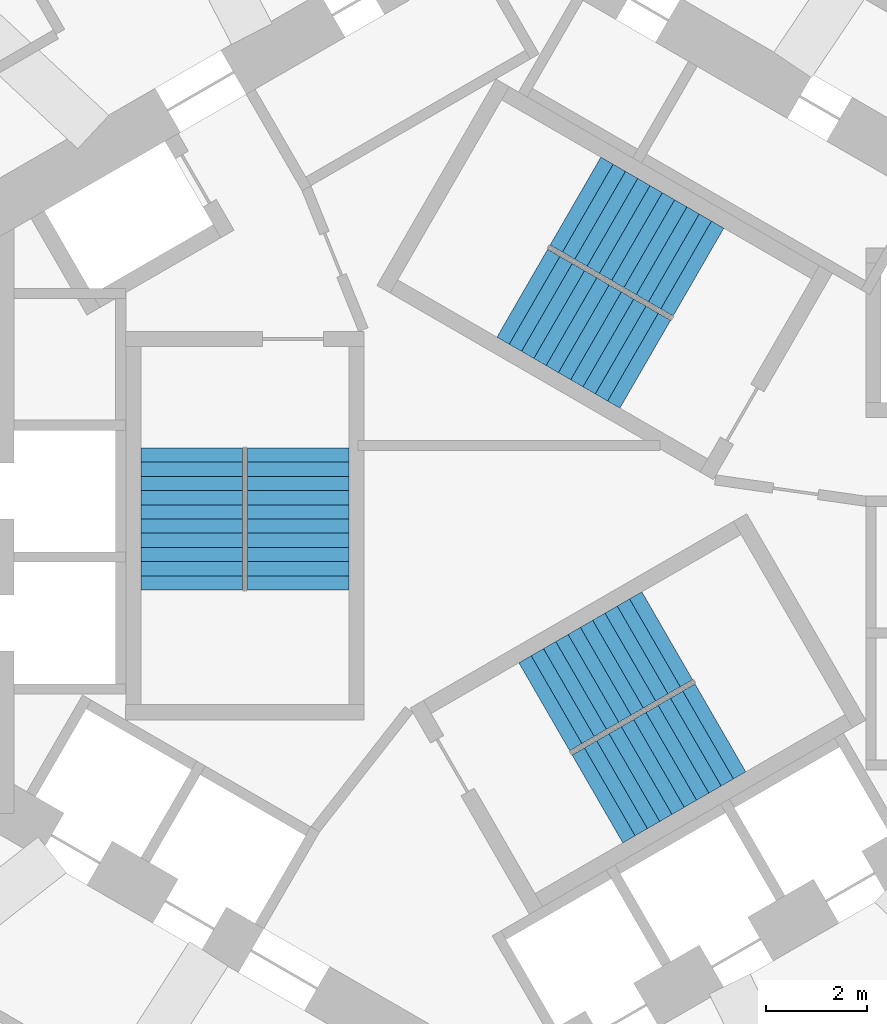
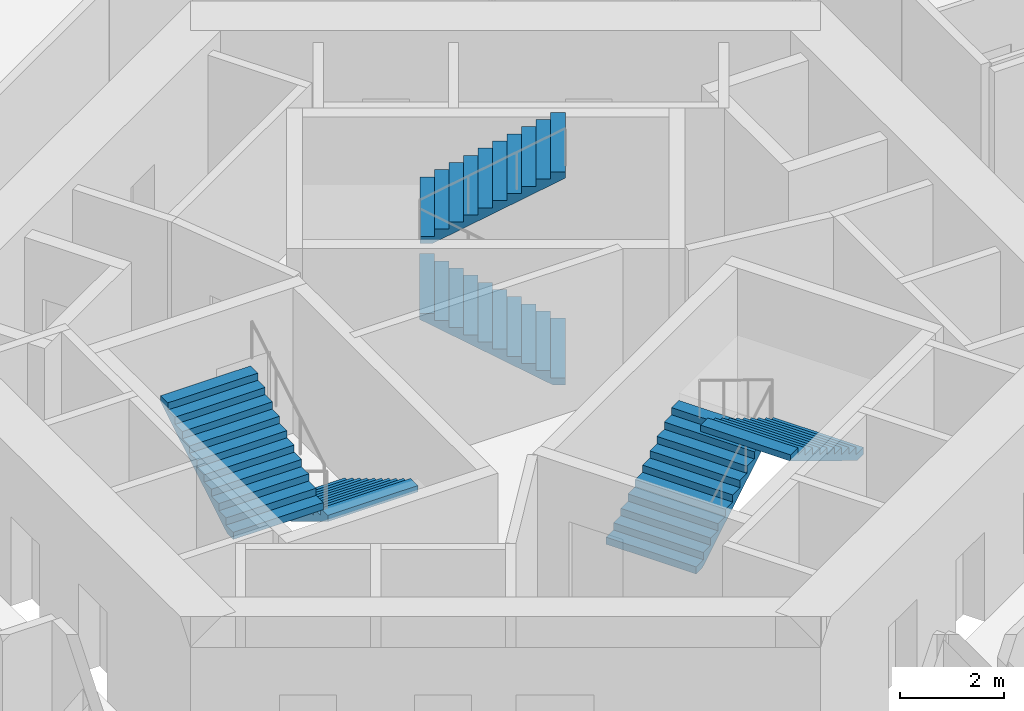
# One storey, part 9 of 11: 6 stair flights, 3 elements without a shape of their own.
"""IFC4 building model written with IfcOpenShell, lengths in metres."""

import ifcopenshell
import ifcopenshell.guid

model = None  # the IFC model being written
_history = None  # IfcOwnerHistory: only IFC2X3 demands one
_inside = {}  # id of a spatial element -> (the spatial element, [elements in it])
_under = {}  # id of a project, library or spatial element -> (it, [spatial elements below it])
_declared = {}  # id of a project -> (the project, [libraries it declares])
_typed = {}  # id of a type object -> (the type object, [elements of that type])
_made_of = {}  # id of a material, layer set ... -> (it, [elements and type objects made of it])


def new_model(schema):
    """Start an empty IFC model of exactly this schema.

    Asked for "IFC4X3", IfcOpenShell would pick the latest addendum, in which some entities
    have other attributes; the version numbers below select the first issue.
    IFC2X3 requires an IfcOwnerHistory on every rooted entity: one is made here for all.
    """
    global model, _history
    if schema == "IFC4X3":
        model = ifcopenshell.file(schema_version=(4, 3, 0, 0))
    else:
        model = ifcopenshell.file(schema=schema)
    _inside.clear()
    _under.clear()
    _declared.clear()
    _typed.clear()
    _made_of.clear()
    _history = None
    if model.schema == "IFC2X3":
        org = make("IfcOrganization", Name="unknown")
        user = make(
            "IfcPersonAndOrganization",
            ThePerson=make("IfcPerson", FamilyName="unknown"),
            TheOrganization=org,
        )
        app = make(
            "IfcApplication",
            ApplicationDeveloper=org,
            Version="unknown",
            ApplicationFullName="unknown",
            ApplicationIdentifier="unknown",
        )
        _history = make(
            "IfcOwnerHistory",
            OwningUser=user,
            OwningApplication=app,
            ChangeAction="ADDED",
            CreationDate=0,
        )
    return model


def make(cls, **values):
    """One entity of the class cls with the attributes given. An attribute that is None is left unset."""
    return model.create_entity(
        cls, **{name: value for name, value in values.items() if value is not None}
    )


def rooted(cls, **values):
    """An entity with a GlobalId (a new one), such as an element, a storey or a relation."""
    return make(cls, GlobalId=ifcopenshell.guid.new(), OwnerHistory=_history, **values)


def si_unit(unit_type, name, prefix=None):
    """IfcSIUnit, for example si_unit("LENGTHUNIT", "METRE", prefix="MILLI")."""
    return make("IfcSIUnit", UnitType=unit_type, Prefix=prefix, Name=name)


def assignment(units):
    """IfcUnitAssignment: the units of a project."""
    return None if units is None else make("IfcUnitAssignment", Units=units)


def point(xyz):
    """IfcCartesianPoint."""
    return None if xyz is None else make("IfcCartesianPoint", Coordinates=xyz)


def direction(xyz):
    """IfcDirection."""
    return None if xyz is None else make("IfcDirection", DirectionRatios=xyz)


def frame(location, z_axis=None, x_axis=None):
    """IfcAxis2Placement3D, a coordinate frame: its origin and axes. An axis left out is left unset."""
    return make(
        "IfcAxis2Placement3D",
        Location=point(location),
        Axis=direction(z_axis),
        RefDirection=direction(x_axis),
    )


def origin():
    """The frame at (0, 0, 0) with its axes left unset."""
    return frame((0.0, 0.0, 0.0))


def place(relative_to, where):
    """IfcLocalPlacement: puts the frame where relative to a parent placement (None: the world)."""
    return make(
        "IfcLocalPlacement", PlacementRelTo=relative_to, RelativePlacement=where
    )


def context(
    kind, dimensions, precision=None, world=None, true_north=None, identifier=None
):
    """IfcGeometricRepresentationContext, for example the 3D "Model" context."""
    return make(
        "IfcGeometricRepresentationContext",
        ContextIdentifier=identifier,
        ContextType=kind,
        CoordinateSpaceDimension=dimensions,
        Precision=precision,
        WorldCoordinateSystem=world,
        TrueNorth=true_north,
    )


def subcontext(parent, identifier, kind, view, scale=None):
    """IfcGeometricRepresentationSubContext, for example "Body" below "Model"."""
    return make(
        "IfcGeometricRepresentationSubContext",
        ContextIdentifier=identifier,
        ContextType=kind,
        ParentContext=parent,
        TargetScale=scale,
        TargetView=view,
    )


def project(units=None, contexts=None):
    """IfcProject with its units and contexts."""
    return rooted(
        "IfcProject",
        Name="project",
        RepresentationContexts=contexts,
        UnitsInContext=assignment(units),
    )


def spatial(cls, under=None, at=None, **own):
    """A site, building, storey or space (cls), placed at a placement, below another one or the project."""
    s = rooted(cls, ObjectPlacement=at, **own)
    if under is not None:
        _under.setdefault(under.id(), (under, []))[1].append(s)
    return s


def point_list(points):
    """IfcCartesianPointList2D or 3D."""
    cls = (
        "IfcCartesianPointList2D" if len(points[0]) == 2 else "IfcCartesianPointList3D"
    )
    return make(cls, CoordList=points)


def triangles(points, corners, closed=None, point_numbers=None):
    """IfcTriangulatedFaceSet: each triangle names its three corners, points numbered from 1."""
    return make(
        "IfcTriangulatedFaceSet",
        Coordinates=point_list(points),
        Closed=closed,
        CoordIndex=corners,
        PnIndex=point_numbers,
    )


def shape(context_of_items, identifier, shape_type, items):
    """IfcShapeRepresentation: the items that make up one representation, for example the "Body"."""
    return make(
        "IfcShapeRepresentation",
        ContextOfItems=context_of_items,
        RepresentationIdentifier=identifier,
        RepresentationType=shape_type,
        Items=items,
    )


def source(mapping_origin, context_of_items, identifier, shape_type, items):
    """IfcRepresentationMap: a shape defined once, which mapped items show again and again."""
    return make(
        "IfcRepresentationMap",
        MappingOrigin=mapping_origin,
        MappedRepresentation=shape(context_of_items, identifier, shape_type, items),
    )


def transform(
    local_origin,
    x_axis=None,
    y_axis=None,
    z_axis=None,
    scale=None,
    scale2=None,
    scale3=None,
    uniform=True,
):
    """IfcCartesianTransformationOperator3D, or its non-uniform kind. x_axis, y_axis, z_axis: its Axis1, 2, 3."""
    if uniform:
        return make(
            "IfcCartesianTransformationOperator3D",
            Axis1=direction(x_axis),
            Axis2=direction(y_axis),
            LocalOrigin=point(local_origin),
            Scale=scale,
            Axis3=direction(z_axis),
        )
    return make(
        "IfcCartesianTransformationOperator3DnonUniform",
        Axis1=direction(x_axis),
        Axis2=direction(y_axis),
        LocalOrigin=point(local_origin),
        Scale=scale,
        Axis3=direction(z_axis),
        Scale2=scale2,
        Scale3=scale3,
    )


def mapped(mapping_source, mapping_target):
    """IfcMappedItem: shows the shape of a source again, moved by a transform."""
    return make(
        "IfcMappedItem", MappingSource=mapping_source, MappingTarget=mapping_target
    )


def material(Name=None, Category=None):
    """IfcMaterial."""
    return make("IfcMaterial", Name=Name, Category=Category)


def made_of(thing, what):
    """Note that an element or type object is made of a material, layer set ...; save() writes the relation."""
    if what is not None:
        _made_of.setdefault(what.id(), (what, []))[1].append(thing)
    return thing


def type_object(cls, material=None, **own):
    """A type object (cls), such as IfcWallType, which elements share."""
    return made_of(rooted(cls, **own), material)


def element(
    cls,
    number,
    at=None,
    inside=None,
    cuts=None,
    type_object=None,
    material=None,
    context=None,
    identifier="Body",
    shape_type=None,
    held_by="IfcProductDefinitionShape",
    body=None,
    shapes=None,
    **own,
):
    """One element of the class cls, such as IfcWall. Its Tag is "e" and its number.

    at: its placement. inside: the storey or other place that contains it. cuts: it is an
    opening in that element (IfcRelVoidsElement). A single representation is given by context,
    identifier, shape_type and body (its items); several are given by shapes. held_by: the class
    of the entity that holds the representations. save() writes the other relations.
    """
    e = rooted(cls, Tag="e%d" % number, ObjectPlacement=at, **own)
    if body is not None:
        shapes = [shape(context, identifier, shape_type, body)]
    if shapes is not None:
        e.Representation = make(held_by, Representations=shapes)
    if inside is not None:
        _inside.setdefault(inside.id(), (inside, []))[1].append(e)
    if cuts is not None:
        rooted(
            "IfcRelVoidsElement", RelatingBuildingElement=cuts, RelatedOpeningElement=e
        )
    if type_object is not None:
        _typed.setdefault(type_object.id(), (type_object, []))[1].append(e)
    return made_of(e, material)


def aggregate(whole, parts):
    """IfcRelAggregates: a whole, such as a stair, and the parts it consists of."""
    return rooted("IfcRelAggregates", RelatingObject=whole, RelatedObjects=parts)


def save(model, path):
    """Write the relations noted so far, then the file.

    IfcRelAggregates (storeys below a building ...), IfcRelContainedInSpatialStructure (elements
    in a storey), IfcRelDefinesByType, IfcRelAssociatesMaterial and IfcRelDeclares: one each for
    every whole, place, type object, material and project.
    """
    for whole, parts in _under.values():
        aggregate(whole, parts)
    for where, things in _inside.values():
        rooted(
            "IfcRelContainedInSpatialStructure",
            RelatedElements=things,
            RelatingStructure=where,
        )
    for kind, things in _typed.values():
        rooted("IfcRelDefinesByType", RelatedObjects=things, RelatingType=kind)
    for what, things in _made_of.values():
        rooted("IfcRelAssociatesMaterial", RelatedObjects=things, RelatingMaterial=what)
    for by, libraries in _declared.values():
        rooted("IfcRelDeclares", RelatingContext=by, RelatedDefinitions=libraries)
    model.write(path)


model = new_model("IFC4")

# Units and contexts
model_context = context("Model", 3, precision=1e-05, world=origin(), true_north=direction((0.0, 1.0)))
body_context = subcontext(model_context, "Body", "Model", "MODEL_VIEW")
ifc_project = project(units=[si_unit("LENGTHUNIT", "METRE"), si_unit("AREAUNIT", "SQUARE_METRE"), si_unit("VOLUMEUNIT", "CUBIC_METRE"), si_unit("PLANEANGLEUNIT", "RADIAN"), si_unit("MASSUNIT", "GRAM", prefix="KILO")], contexts=[model_context])

# Site, building, storey
site_placement = place(None, origin())
site = spatial("IfcSite", under=ifc_project, at=site_placement, CompositionType="ELEMENT")
building_placement = place(site_placement, origin())
building = spatial("IfcBuilding", under=site, at=building_placement, Name="Vanh Sen Convention Tower", CompositionType="ELEMENT")
storey_placement = place(building_placement, frame((0.0, 0.0, 168.800048828125)))
storey = spatial("IfcBuildingStorey", under=building, at=storey_placement, Name="L41", CompositionType="ELEMENT", Elevation=168.800048828125)

# Stair, stair flights
ifc_material_1 = material(Name="Concrete C50/60", Category="concrete")
stair_type_1 = type_object("IfcStairType", Name="Exit stair ST1 22 risers at 168.2", PredefinedType="HALF_TURN_STAIR", material=ifc_material_1)
stair_1_placement = place(storey_placement, origin())
stair_1 = element("IfcStair", 1, at=stair_1_placement, inside=storey, type_object=stair_type_1, Name="Exit stair ST1 L41", PredefinedType="HALF_TURN_STAIR")
ifc_material_2 = material(Name="Concrete C40/50", Category="concrete")
stair_flight_type = type_object("IfcStairFlightType", Name="Stair flight 2000", PredefinedType="STRAIGHT", material=ifc_material_2)
shared_shape = source(origin(), body_context, "Body", "Tessellation", [
    triangles([(0.24267578125, 1.0, 0.0), (0.0, 1.0, 0.0), (0.0, 1.0, 0.168212890625), (0.280029296875, 1.0, 0.168212890625), (0.280029296875, 1.0, 0.33642578125), (0.56005859375, 1.0, 0.33642578125), (0.56005859375, 1.0, 0.504638671875), (0.840087890625, 1.0, 0.504638671875), (0.840087890625, 1.0, 0.672607421875), (1.1201171875, 1.0, 0.672607421875), (1.1201171875, 1.0, 0.8408203125), (1.39990234375, 1.0, 0.8408203125), (1.39990234375, 1.0, 1.009033203125), (1.679931640625, 1.0, 1.009033203125), (1.679931640625, 1.0, 1.17724609375), (1.9599609375, 1.0, 1.17724609375), (1.9599609375, 1.0, 1.345458984375), (2.239990234375, 1.0, 1.345458984375), (2.239990234375, 1.0, 1.513671875), (2.52001953125, 1.0, 1.513671875), (2.52001953125, 1.0, 1.681884765625), (2.800048828125, 1.0, 1.681884765625), (2.800048828125, 1.0, 1.535888671875), (0.24267578125, -1.0, 0.0), (0.0, -1.0, 0.0), (0.0, -1.0, 0.168212890625), (0.280029296875, -1.0, 0.168212890625), (0.280029296875, -1.0, 0.33642578125), (0.56005859375, -1.0, 0.33642578125), (0.56005859375, -1.0, 0.504638671875), (0.840087890625, -1.0, 0.504638671875), (0.840087890625, -1.0, 0.672607421875), (1.1201171875, -1.0, 0.672607421875), (1.1201171875, -1.0, 0.8408203125), (1.39990234375, -1.0, 0.8408203125), (1.39990234375, -1.0, 1.009033203125), (1.679931640625, -1.0, 1.009033203125), (1.679931640625, -1.0, 1.17724609375), (1.9599609375, -1.0, 1.17724609375), (1.9599609375, -1.0, 1.345458984375), (2.239990234375, -1.0, 1.345458984375), (2.239990234375, -1.0, 1.513671875), (2.52001953125, -1.0, 1.513671875), (2.52001953125, -1.0, 1.681884765625), (2.800048828125, -1.0, 1.681884765625), (2.800048828125, -1.0, 1.535888671875), (0.0, 0.0400390625, 0.0), (0.0, 0.0390625, 0.0), (0.0, 0.0380859375, 0.0), (0.0, 0.037109375, 0.0), (0.0, 0.035888671875, 0.0), (0.0, 0.034912109375, 0.0), (0.0, 0.033935546875, 0.0), (0.0, 0.032958984375, 0.0), (0.0, 0.031982421875, 0.0), (0.0, 0.031005859375, 0.0), (0.0, 0.030029296875, 0.0), (0.0, 0.029052734375, 0.0), (0.0, 0.028076171875, 0.0), (0.0, 0.027099609375, 0.0), (0.0, 0.02587890625, 0.0), (0.0, 0.02490234375, 0.0), (0.0, 0.02392578125, 0.0), (0.0, 0.02294921875, 0.0), (0.0, 0.02197265625, 0.0), (0.0, 0.02099609375, 0.0), (0.0, 0.02001953125, 0.0), (0.0, 0.01904296875, 0.0), (0.0, 0.01806640625, 0.0), (0.0, 0.01708984375, 0.0), (0.0, 0.01611328125, 0.0), (0.0, 0.014892578125, 0.0), (0.0, 0.013916015625, 0.0), (0.0, 0.012939453125, 0.0), (0.0, 0.011962890625, 0.0), (0.0, 0.010986328125, 0.0), (0.0, 0.010009765625, 0.0), (0.0, 0.009033203125, 0.0), (0.0, 0.008056640625, 0.0), (0.0, 0.007080078125, 0.0), (0.0, 0.006103515625, 0.0), (0.0, 0.0048828125, 0.0), (0.0, 0.00390625, 0.0), (0.0, 0.0029296875, 0.0), (0.0, 0.001953125, 0.0), (0.0, 0.0009765625, 0.0), (0.0, 0.0, 0.0), (0.0, -0.0009765625, 0.0), (0.0, -0.001953125, 0.0), (0.0, -0.0029296875, 0.0), (0.0, -0.00390625, 0.0), (0.0, -0.0048828125, 0.0), (0.0, -0.006103515625, 0.0), (0.0, -0.007080078125, 0.0), (0.0, -0.008056640625, 0.0), (0.0, -0.009033203125, 0.0), (0.0, -0.010009765625, 0.0), (0.0, -0.010986328125, 0.0), (0.0, -0.011962890625, 0.0), (0.0, -0.012939453125, 0.0), (0.0, -0.013916015625, 0.0), (0.0, -0.014892578125, 0.0), (0.0, -0.01611328125, 0.0), (0.0, -0.01708984375, 0.0), (0.0, -0.01806640625, 0.0), (0.0, -0.01904296875, 0.0), (0.0, -0.02001953125, 0.0), (0.0, -0.02099609375, 0.0), (0.0, -0.02197265625, 0.0), (0.0, -0.02294921875, 0.0), (0.0, -0.02392578125, 0.0), (0.0, -0.02490234375, 0.0), (0.0, -0.02587890625, 0.0), (0.0, -0.027099609375, 0.0), (0.0, -0.028076171875, 0.0), (0.0, -0.029052734375, 0.0), (0.0, -0.030029296875, 0.0), (0.0, -0.031005859375, 0.0), (0.0, -0.031982421875, 0.0), (0.0, -0.032958984375, 0.0), (0.0, -0.033935546875, 0.0), (0.0, -0.034912109375, 0.0), (0.0, -0.035888671875, 0.0), (0.0, -0.037109375, 0.0), (0.0, -0.0380859375, 0.0), (0.0, -0.0390625, 0.0), (0.0, -0.0400390625, 0.0), (0.0, 0.0400390625, 0.168212890625), (0.0, 0.0390625, 0.168212890625), (0.0, 0.0380859375, 0.168212890625), (0.0, 0.037109375, 0.168212890625), (0.0, 0.035888671875, 0.168212890625), (0.0, 0.034912109375, 0.168212890625), (0.0, 0.033935546875, 0.168212890625), (0.0, 0.032958984375, 0.168212890625), (0.0, 0.031982421875, 0.168212890625), (0.0, 0.031005859375, 0.168212890625), (0.0, 0.030029296875, 0.168212890625), (0.0, 0.029052734375, 0.168212890625), (0.0, 0.028076171875, 0.168212890625), (0.0, 0.027099609375, 0.168212890625), (0.0, 0.02587890625, 0.168212890625), (0.0, 0.02490234375, 0.168212890625), (0.0, 0.02392578125, 0.168212890625), (0.0, 0.02294921875, 0.168212890625), (0.0, 0.02197265625, 0.168212890625), (0.0, 0.02099609375, 0.168212890625), (0.0, 0.02001953125, 0.168212890625), (0.0, 0.01904296875, 0.168212890625), (0.0, 0.01806640625, 0.168212890625), (0.0, 0.01708984375, 0.168212890625), (0.0, 0.01611328125, 0.168212890625), (0.0, 0.014892578125, 0.168212890625), (0.0, 0.013916015625, 0.168212890625), (0.0, 0.012939453125, 0.168212890625), (0.0, 0.011962890625, 0.168212890625), (0.0, 0.010986328125, 0.168212890625), (0.0, 0.010009765625, 0.168212890625), (0.0, 0.009033203125, 0.168212890625), (0.0, 0.008056640625, 0.168212890625), (0.0, 0.007080078125, 0.168212890625), (0.0, 0.006103515625, 0.168212890625), (0.0, 0.0048828125, 0.168212890625), (0.0, 0.00390625, 0.168212890625), (0.0, 0.0029296875, 0.168212890625), (0.0, 0.001953125, 0.168212890625), (0.0, 0.0009765625, 0.168212890625), (0.0, 0.0, 0.168212890625), (0.0, -0.0009765625, 0.168212890625), (0.0, -0.001953125, 0.168212890625), (0.0, -0.0029296875, 0.168212890625), (0.0, -0.00390625, 0.168212890625), (0.0, -0.0048828125, 0.168212890625), (0.0, -0.006103515625, 0.168212890625), (0.0, -0.007080078125, 0.168212890625), (0.0, -0.008056640625, 0.168212890625), (0.0, -0.009033203125, 0.168212890625), (0.0, -0.010009765625, 0.168212890625), (0.0, -0.010986328125, 0.168212890625), (0.0, -0.011962890625, 0.168212890625), (0.0, -0.012939453125, 0.168212890625), (0.0, -0.013916015625, 0.168212890625), (0.0, -0.014892578125, 0.168212890625), (0.0, -0.01611328125, 0.168212890625), (0.0, -0.01708984375, 0.168212890625), (0.0, -0.01806640625, 0.168212890625), (0.0, -0.01904296875, 0.168212890625), (0.0, -0.02001953125, 0.168212890625), (0.0, -0.02099609375, 0.168212890625), (0.0, -0.02197265625, 0.168212890625), (0.0, -0.02294921875, 0.168212890625), (0.0, -0.02392578125, 0.168212890625), (0.0, -0.02490234375, 0.168212890625), (0.0, -0.02587890625, 0.168212890625), (0.0, -0.027099609375, 0.168212890625), (0.0, -0.028076171875, 0.168212890625), (0.0, -0.029052734375, 0.168212890625), (0.0, -0.030029296875, 0.168212890625), (0.0, -0.031005859375, 0.168212890625), (0.0, -0.031982421875, 0.168212890625), (0.0, -0.032958984375, 0.168212890625), (0.0, -0.033935546875, 0.168212890625), (0.0, -0.034912109375, 0.168212890625), (0.0, -0.035888671875, 0.168212890625), (0.0, -0.037109375, 0.168212890625), (0.0, -0.0380859375, 0.168212890625), (0.0, -0.0390625, 0.168212890625), (0.0, -0.0400390625, 0.168212890625), (0.280029296875, 0.0, 0.168212890625), (0.280029296875, 0.0, 0.33642578125), (0.56005859375, 0.0, 0.33642578125), (0.56005859375, 0.0, 0.504638671875), (0.840087890625, 0.0, 0.504638671875), (0.840087890625, 0.0, 0.672607421875), (1.1201171875, 0.0, 0.672607421875), (1.1201171875, 0.0, 0.8408203125), (1.39990234375, 0.0, 0.8408203125), (1.39990234375, 0.0, 1.009033203125), (1.679931640625, 0.0, 1.009033203125), (1.679931640625, 0.0, 1.17724609375), (1.9599609375, 0.0, 1.17724609375), (1.9599609375, 0.0, 1.345458984375), (2.239990234375, 0.0, 1.345458984375), (2.239990234375, 0.0, 1.513671875), (2.52001953125, 0.0, 1.513671875), (2.52001953125, 0.0, 1.681884765625), (2.800048828125, 0.0400390625, 1.681884765625), (2.800048828125, 0.0390625, 1.681884765625), (2.800048828125, 0.0380859375, 1.681884765625), (2.800048828125, 0.037109375, 1.681884765625), (2.800048828125, 0.035888671875, 1.681884765625), (2.800048828125, 0.034912109375, 1.681884765625), (2.800048828125, 0.033935546875, 1.681884765625), (2.800048828125, 0.032958984375, 1.681884765625), (2.800048828125, 0.031982421875, 1.681884765625), (2.800048828125, 0.031005859375, 1.681884765625), (2.800048828125, 0.030029296875, 1.681884765625), (2.800048828125, 0.029052734375, 1.681884765625), (2.800048828125, 0.028076171875, 1.681884765625), (2.800048828125, 0.027099609375, 1.681884765625), (2.800048828125, 0.02587890625, 1.681884765625), (2.800048828125, 0.02490234375, 1.681884765625), (2.800048828125, 0.02392578125, 1.681884765625), (2.800048828125, 0.02294921875, 1.681884765625), (2.800048828125, 0.02197265625, 1.681884765625), (2.800048828125, 0.02099609375, 1.681884765625), (2.800048828125, 0.02001953125, 1.681884765625), (2.800048828125, 0.01904296875, 1.681884765625), (2.800048828125, 0.01806640625, 1.681884765625), (2.800048828125, 0.01708984375, 1.681884765625), (2.800048828125, 0.01611328125, 1.681884765625), (2.800048828125, 0.014892578125, 1.681884765625), (2.800048828125, 0.013916015625, 1.681884765625), (2.800048828125, 0.012939453125, 1.681884765625), (2.800048828125, 0.011962890625, 1.681884765625), (2.800048828125, 0.010986328125, 1.681884765625), (2.800048828125, 0.010009765625, 1.681884765625), (2.800048828125, 0.009033203125, 1.681884765625), (2.800048828125, 0.008056640625, 1.681884765625), (2.800048828125, 0.007080078125, 1.681884765625), (2.800048828125, 0.006103515625, 1.681884765625), (2.800048828125, 0.0048828125, 1.681884765625), (2.800048828125, 0.00390625, 1.681884765625), (2.800048828125, 0.0029296875, 1.681884765625), (2.800048828125, 0.001953125, 1.681884765625), (2.800048828125, 0.0009765625, 1.681884765625), (2.800048828125, 0.0, 1.681884765625), (2.800048828125, -0.0009765625, 1.681884765625), (2.800048828125, -0.001953125, 1.681884765625), (2.800048828125, -0.0029296875, 1.681884765625), (2.800048828125, -0.00390625, 1.681884765625), (2.800048828125, -0.0048828125, 1.681884765625), (2.800048828125, -0.006103515625, 1.681884765625), (2.800048828125, -0.007080078125, 1.681884765625), (2.800048828125, -0.008056640625, 1.681884765625), (2.800048828125, -0.009033203125, 1.681884765625), (2.800048828125, -0.010009765625, 1.681884765625), (2.800048828125, -0.010986328125, 1.681884765625), (2.800048828125, -0.011962890625, 1.681884765625), (2.800048828125, -0.012939453125, 1.681884765625), (2.800048828125, -0.013916015625, 1.681884765625), (2.800048828125, -0.014892578125, 1.681884765625), (2.800048828125, -0.01611328125, 1.681884765625), (2.800048828125, -0.01708984375, 1.681884765625), (2.800048828125, -0.01806640625, 1.681884765625), (2.800048828125, -0.01904296875, 1.681884765625), (2.800048828125, -0.02001953125, 1.681884765625), (2.800048828125, -0.02099609375, 1.681884765625), (2.800048828125, -0.02197265625, 1.681884765625), (2.800048828125, -0.02294921875, 1.681884765625), (2.800048828125, -0.02392578125, 1.681884765625), (2.800048828125, -0.02490234375, 1.681884765625), (2.800048828125, -0.02587890625, 1.681884765625), (2.800048828125, -0.027099609375, 1.681884765625), (2.800048828125, -0.028076171875, 1.681884765625), (2.800048828125, -0.029052734375, 1.681884765625), (2.800048828125, -0.030029296875, 1.681884765625), (2.800048828125, -0.031005859375, 1.681884765625), (2.800048828125, -0.031982421875, 1.681884765625), (2.800048828125, -0.032958984375, 1.681884765625), (2.800048828125, -0.033935546875, 1.681884765625), (2.800048828125, -0.034912109375, 1.681884765625), (2.800048828125, -0.035888671875, 1.681884765625), (2.800048828125, -0.037109375, 1.681884765625), (2.800048828125, -0.0380859375, 1.681884765625), (2.800048828125, -0.0390625, 1.681884765625), (2.800048828125, -0.0400390625, 1.681884765625), (2.800048828125, 0.0400390625, 1.535888671875), (2.800048828125, 0.0390625, 1.535888671875), (2.800048828125, 0.0380859375, 1.535888671875), (2.800048828125, 0.037109375, 1.535888671875), (2.800048828125, 0.035888671875, 1.535888671875), (2.800048828125, 0.034912109375, 1.535888671875), (2.800048828125, 0.033935546875, 1.535888671875), (2.800048828125, 0.032958984375, 1.535888671875), (2.800048828125, 0.031982421875, 1.535888671875), (2.800048828125, 0.031005859375, 1.535888671875), (2.800048828125, 0.030029296875, 1.535888671875), (2.800048828125, 0.029052734375, 1.535888671875), (2.800048828125, 0.028076171875, 1.535888671875), (2.800048828125, 0.027099609375, 1.535888671875), (2.800048828125, 0.02587890625, 1.535888671875), (2.800048828125, 0.02490234375, 1.535888671875), (2.800048828125, 0.02392578125, 1.535888671875), (2.800048828125, 0.02294921875, 1.535888671875), (2.800048828125, 0.02197265625, 1.535888671875), (2.800048828125, 0.02099609375, 1.535888671875), (2.800048828125, 0.02001953125, 1.535888671875), (2.800048828125, 0.01904296875, 1.535888671875), (2.800048828125, 0.01806640625, 1.535888671875), (2.800048828125, 0.01708984375, 1.535888671875), (2.800048828125, 0.01611328125, 1.535888671875), (2.800048828125, 0.014892578125, 1.535888671875), (2.800048828125, 0.013916015625, 1.535888671875), (2.800048828125, 0.012939453125, 1.535888671875), (2.800048828125, 0.011962890625, 1.535888671875), (2.800048828125, 0.010986328125, 1.535888671875), (2.800048828125, 0.010009765625, 1.535888671875), (2.800048828125, 0.009033203125, 1.535888671875), (2.800048828125, 0.008056640625, 1.535888671875), (2.800048828125, 0.007080078125, 1.535888671875), (2.800048828125, 0.006103515625, 1.535888671875), (2.800048828125, 0.0048828125, 1.535888671875), (2.800048828125, 0.00390625, 1.535888671875), (2.800048828125, 0.0029296875, 1.535888671875), (2.800048828125, 0.001953125, 1.535888671875), (2.800048828125, 0.0009765625, 1.535888671875), (2.800048828125, 0.0, 1.535888671875), (2.800048828125, -0.0009765625, 1.535888671875), (2.800048828125, -0.001953125, 1.535888671875), (2.800048828125, -0.0029296875, 1.535888671875), (2.800048828125, -0.00390625, 1.535888671875), (2.800048828125, -0.0048828125, 1.535888671875), (2.800048828125, -0.006103515625, 1.535888671875), (2.800048828125, -0.007080078125, 1.535888671875), (2.800048828125, -0.008056640625, 1.535888671875), (2.800048828125, -0.009033203125, 1.535888671875), (2.800048828125, -0.010009765625, 1.535888671875), (2.800048828125, -0.010986328125, 1.535888671875), (2.800048828125, -0.011962890625, 1.535888671875), (2.800048828125, -0.012939453125, 1.535888671875), (2.800048828125, -0.013916015625, 1.535888671875), (2.800048828125, -0.014892578125, 1.535888671875), (2.800048828125, -0.01611328125, 1.535888671875), (2.800048828125, -0.01708984375, 1.535888671875), (2.800048828125, -0.01806640625, 1.535888671875), (2.800048828125, -0.01904296875, 1.535888671875), (2.800048828125, -0.02001953125, 1.535888671875), (2.800048828125, -0.02099609375, 1.535888671875), (2.800048828125, -0.02197265625, 1.535888671875), (2.800048828125, -0.02294921875, 1.535888671875), (2.800048828125, -0.02392578125, 1.535888671875), (2.800048828125, -0.02490234375, 1.535888671875), (2.800048828125, -0.02587890625, 1.535888671875), (2.800048828125, -0.027099609375, 1.535888671875), (2.800048828125, -0.028076171875, 1.535888671875), (2.800048828125, -0.029052734375, 1.535888671875), (2.800048828125, -0.030029296875, 1.535888671875), (2.800048828125, -0.031005859375, 1.535888671875), (2.800048828125, -0.031982421875, 1.535888671875), (2.800048828125, -0.032958984375, 1.535888671875), (2.800048828125, -0.033935546875, 1.535888671875), (2.800048828125, -0.034912109375, 1.535888671875), (2.800048828125, -0.035888671875, 1.535888671875), (2.800048828125, -0.037109375, 1.535888671875), (2.800048828125, -0.0380859375, 1.535888671875), (2.800048828125, -0.0390625, 1.535888671875), (2.800048828125, -0.0400390625, 1.535888671875), (0.24267578125, 0.0, 0.0)], [[1, 2, 3], [1, 3, 4], [4, 5, 6], [1, 4, 6], [6, 7, 8], [1, 6, 8], [8, 9, 10], [1, 8, 10], [10, 11, 12], [1, 10, 12], [12, 13, 14], [1, 12, 14], [14, 15, 16], [1, 14, 16], [16, 17, 18], [1, 16, 18], [18, 19, 20], [1, 18, 20], [20, 21, 22], [1, 20, 22], [22, 23, 1], [24, 26, 25], [24, 27, 26], [27, 29, 28], [24, 29, 27], [29, 31, 30], [24, 31, 29], [31, 33, 32], [24, 33, 31], [33, 35, 34], [24, 35, 33], [35, 37, 36], [24, 37, 35], [37, 39, 38], [24, 39, 37], [39, 41, 40], [24, 41, 39], [41, 43, 42], [24, 43, 41], [43, 45, 44], [24, 45, 43], [45, 24, 46], [2, 128, 3], [2, 47, 128], [47, 129, 128], [47, 48, 129], [48, 130, 129], [48, 49, 130], [49, 131, 130], [49, 50, 131], [50, 132, 131], [50, 51, 132], [51, 133, 132], [51, 52, 133], [52, 134, 133], [52, 53, 134], [53, 135, 134], [53, 54, 135], [54, 136, 135], [54, 55, 136], [55, 137, 136], [55, 56, 137], [56, 138, 137], [56, 57, 138], [57, 139, 138], [57, 58, 139], [58, 140, 139], [58, 59, 140], [59, 141, 140], [59, 60, 141], [60, 142, 141], [60, 61, 142], [61, 143, 142], [61, 62, 143], [62, 144, 143], [62, 63, 144], [63, 145, 144], [63, 64, 145], [64, 146, 145], [64, 65, 146], [65, 147, 146], [65, 66, 147], [66, 148, 147], [66, 67, 148], [67, 149, 148], [67, 68, 149], [68, 150, 149], [68, 69, 150], [69, 151, 150], [69, 70, 151], [70, 152, 151], [70, 71, 152], [71, 153, 152], [71, 72, 153], [72, 154, 153], [72, 73, 154], [73, 155, 154], [73, 74, 155], [74, 156, 155], [74, 75, 156], [75, 157, 156], [75, 76, 157], [76, 158, 157], [76, 77, 158], [77, 159, 158], [77, 78, 159], [78, 160, 159], [78, 79, 160], [79, 161, 160], [79, 80, 161], [80, 162, 161], [80, 81, 162], [81, 163, 162], [81, 82, 163], [82, 164, 163], [82, 83, 164], [83, 165, 164], [83, 84, 165], [84, 166, 165], [84, 85, 166], [85, 167, 166], [85, 86, 167], [86, 168, 167], [86, 87, 168], [87, 88, 168], [168, 88, 169], [88, 89, 169], [169, 89, 170], [89, 90, 170], [170, 90, 171], [90, 91, 171], [171, 91, 172], [91, 92, 172], [172, 92, 173], [92, 93, 173], [173, 93, 174], [93, 94, 174], [174, 94, 175], [94, 95, 175], [175, 95, 176], [95, 96, 176], [176, 96, 177], [96, 97, 177], [177, 97, 178], [97, 98, 178], [178, 98, 179], [98, 99, 179], [179, 99, 180], [99, 100, 180], [180, 100, 181], [100, 101, 181], [181, 101, 182], [101, 102, 182], [182, 102, 183], [102, 103, 183], [183, 103, 184], [103, 104, 184], [184, 104, 185], [104, 105, 185], [185, 105, 186], [105, 106, 186], [186, 106, 187], [106, 107, 187], [187, 107, 188], [107, 108, 188], [188, 108, 189], [108, 109, 189], [189, 109, 190], [109, 110, 190], [190, 110, 191], [110, 111, 191], [191, 111, 192], [111, 112, 192], [192, 112, 193], [112, 113, 193], [193, 113, 194], [113, 114, 194], [194, 114, 195], [114, 115, 195], [195, 115, 196], [115, 116, 196], [196, 116, 197], [116, 117, 197], [197, 117, 198], [117, 118, 198], [198, 118, 199], [118, 119, 199], [199, 119, 200], [119, 120, 200], [200, 120, 201], [120, 121, 201], [201, 121, 202], [121, 122, 202], [202, 122, 203], [122, 123, 203], [203, 123, 204], [123, 124, 204], [204, 124, 205], [124, 125, 205], [205, 125, 206], [125, 126, 206], [206, 126, 207], [126, 127, 207], [207, 127, 208], [127, 25, 208], [208, 25, 26], [4, 3, 128], [4, 128, 129], [4, 129, 130], [4, 130, 131], [4, 131, 132], [4, 132, 133], [4, 133, 134], [4, 134, 135], [4, 135, 136], [4, 136, 137], [4, 137, 138], [4, 138, 139], [4, 139, 140], [4, 140, 141], [4, 141, 142], [4, 142, 143], [4, 143, 144], [4, 144, 145], [4, 145, 146], [4, 146, 147], [4, 147, 148], [4, 148, 149], [4, 149, 150], [4, 150, 151], [4, 151, 152], [4, 152, 153], [4, 153, 154], [4, 154, 155], [4, 155, 156], [4, 156, 157], [4, 157, 158], [4, 158, 159], [4, 159, 160], [4, 160, 161], [4, 161, 162], [4, 162, 163], [4, 163, 164], [4, 164, 165], [4, 165, 166], [4, 166, 167], [4, 167, 168], [27, 168, 169], [27, 169, 170], [27, 170, 171], [27, 171, 172], [27, 172, 173], [27, 173, 174], [27, 174, 175], [27, 175, 176], [27, 176, 177], [27, 177, 178], [27, 178, 179], [27, 179, 180], [27, 180, 181], [27, 181, 182], [27, 182, 183], [27, 183, 184], [27, 184, 185], [27, 185, 186], [27, 186, 187], [27, 187, 188], [27, 188, 189], [27, 189, 190], [27, 190, 191], [27, 191, 192], [27, 192, 193], [27, 193, 194], [27, 194, 195], [27, 195, 196], [27, 196, 197], [27, 197, 198], [27, 198, 199], [27, 199, 200], [27, 200, 201], [27, 201, 202], [27, 202, 203], [27, 203, 204], [27, 204, 205], [27, 205, 206], [27, 206, 207], [27, 207, 208], [27, 208, 26], [4, 168, 209], [27, 209, 168], [4, 210, 5], [4, 209, 210], [209, 27, 210], [210, 27, 28], [5, 211, 6], [5, 210, 211], [210, 28, 211], [211, 28, 29], [6, 212, 7], [6, 211, 212], [211, 29, 212], [212, 29, 30], [7, 213, 8], [7, 212, 213], [212, 30, 213], [213, 30, 31], [8, 214, 9], [8, 213, 214], [213, 31, 214], [214, 31, 32], [9, 215, 10], [9, 214, 215], [214, 32, 215], [215, 32, 33], [10, 216, 11], [10, 215, 216], [215, 33, 216], [216, 33, 34], [11, 217, 12], [11, 216, 217], [216, 34, 217], [217, 34, 35], [12, 218, 13], [12, 217, 218], [217, 35, 218], [218, 35, 36], [13, 219, 14], [13, 218, 219], [218, 36, 219], [219, 36, 37], [14, 220, 15], [14, 219, 220], [219, 37, 220], [220, 37, 38], [15, 221, 16], [15, 220, 221], [220, 38, 221], [221, 38, 39], [16, 222, 17], [16, 221, 222], [221, 39, 222], [222, 39, 40], [17, 223, 18], [17, 222, 223], [222, 40, 223], [223, 40, 41], [18, 224, 19], [18, 223, 224], [223, 41, 224], [224, 41, 42], [19, 225, 20], [19, 224, 225], [224, 42, 225], [225, 42, 43], [20, 226, 21], [20, 225, 226], [225, 43, 226], [226, 43, 44], [21, 227, 22], [21, 228, 227], [21, 229, 228], [21, 230, 229], [21, 231, 230], [21, 232, 231], [21, 233, 232], [21, 234, 233], [21, 235, 234], [21, 236, 235], [21, 237, 236], [21, 238, 237], [21, 239, 238], [21, 240, 239], [21, 241, 240], [21, 242, 241], [21, 243, 242], [21, 244, 243], [21, 245, 244], [21, 246, 245], [21, 247, 246], [21, 248, 247], [21, 249, 248], [21, 250, 249], [21, 251, 250], [21, 252, 251], [21, 253, 252], [21, 254, 253], [21, 255, 254], [21, 256, 255], [21, 257, 256], [21, 258, 257], [21, 259, 258], [21, 260, 259], [21, 261, 260], [21, 262, 261], [21, 263, 262], [21, 264, 263], [21, 265, 264], [21, 266, 265], [21, 267, 266], [44, 268, 267], [44, 269, 268], [44, 270, 269], [44, 271, 270], [44, 272, 271], [44, 273, 272], [44, 274, 273], [44, 275, 274], [44, 276, 275], [44, 277, 276], [44, 278, 277], [44, 279, 278], [44, 280, 279], [44, 281, 280], [44, 282, 281], [44, 283, 282], [44, 284, 283], [44, 285, 284], [44, 286, 285], [44, 287, 286], [44, 288, 287], [44, 289, 288], [44, 290, 289], [44, 291, 290], [44, 292, 291], [44, 293, 292], [44, 294, 293], [44, 295, 294], [44, 296, 295], [44, 297, 296], [44, 298, 297], [44, 299, 298], [44, 300, 299], [44, 301, 300], [44, 302, 301], [44, 303, 302], [44, 304, 303], [44, 305, 304], [44, 306, 305], [44, 307, 306], [44, 45, 307], [21, 226, 267], [44, 267, 226], [22, 308, 23], [22, 227, 308], [227, 309, 308], [227, 228, 309], [228, 310, 309], [228, 229, 310], [229, 311, 310], [229, 230, 311], [230, 312, 311], [230, 231, 312], [231, 313, 312], [231, 232, 313], [232, 314, 313], [232, 233, 314], [233, 315, 314], [233, 234, 315], [234, 316, 315], [234, 235, 316], [235, 317, 316], [235, 236, 317], [236, 318, 317], [236, 237, 318], [237, 319, 318], [237, 238, 319], [238, 320, 319], [238, 239, 320], [239, 321, 320], [239, 240, 321], [240, 322, 321], [240, 241, 322], [241, 323, 322], [241, 242, 323], [242, 324, 323], [242, 243, 324], [243, 325, 324], [243, 244, 325], [244, 326, 325], [244, 245, 326], [245, 327, 326], [245, 246, 327], [246, 328, 327], [246, 247, 328], [247, 329, 328], [247, 248, 329], [248, 330, 329], [248, 249, 330], [249, 331, 330], [249, 250, 331], [250, 332, 331], [250, 251, 332], [251, 333, 332], [251, 252, 333], [252, 334, 333], [252, 253, 334], [253, 335, 334], [253, 254, 335], [254, 336, 335], [254, 255, 336], [255, 337, 336], [255, 256, 337], [256, 338, 337], [256, 257, 338], [257, 339, 338], [257, 258, 339], [258, 340, 339], [258, 259, 340], [259, 341, 340], [259, 260, 341], [260, 342, 341], [260, 261, 342], [261, 343, 342], [261, 262, 343], [262, 344, 343], [262, 263, 344], [263, 345, 344], [263, 264, 345], [264, 346, 345], [264, 265, 346], [265, 347, 346], [265, 266, 347], [266, 348, 347], [266, 267, 348], [267, 268, 348], [348, 268, 349], [268, 269, 349], [349, 269, 350], [269, 270, 350], [350, 270, 351], [270, 271, 351], [351, 271, 352], [271, 272, 352], [352, 272, 353], [272, 273, 353], [353, 273, 354], [273, 274, 354], [354, 274, 355], [274, 275, 355], [355, 275, 356], [275, 276, 356], [356, 276, 357], [276, 277, 357], [357, 277, 358], [277, 278, 358], [358, 278, 359], [278, 279, 359], [359, 279, 360], [279, 280, 360], [360, 280, 361], [280, 281, 361], [361, 281, 362], [281, 282, 362], [362, 282, 363], [282, 283, 363], [363, 283, 364], [283, 284, 364], [364, 284, 365], [284, 285, 365], [365, 285, 366], [285, 286, 366], [366, 286, 367], [286, 287, 367], [367, 287, 368], [287, 288, 368], [368, 288, 369], [288, 289, 369], [369, 289, 370], [289, 290, 370], [370, 290, 371], [290, 291, 371], [371, 291, 372], [291, 292, 372], [372, 292, 373], [292, 293, 373], [373, 293, 374], [293, 294, 374], [374, 294, 375], [294, 295, 375], [375, 295, 376], [295, 296, 376], [376, 296, 377], [296, 297, 377], [377, 297, 378], [297, 298, 378], [378, 298, 379], [298, 299, 379], [379, 299, 380], [299, 300, 380], [380, 300, 381], [300, 301, 381], [381, 301, 382], [301, 302, 382], [382, 302, 383], [302, 303, 383], [383, 303, 384], [303, 304, 384], [384, 304, 385], [304, 305, 385], [385, 305, 386], [305, 306, 386], [386, 306, 387], [306, 307, 387], [387, 307, 388], [307, 45, 388], [388, 45, 46], [1, 23, 308], [1, 308, 309], [1, 309, 310], [1, 310, 311], [1, 311, 312], [1, 312, 313], [1, 313, 314], [1, 314, 315], [1, 315, 316], [1, 316, 317], [1, 317, 318], [1, 318, 319], [1, 319, 320], [1, 320, 321], [1, 321, 322], [1, 322, 323], [1, 323, 324], [1, 324, 325], [1, 325, 326], [1, 326, 327], [1, 327, 328], [1, 328, 329], [1, 329, 330], [1, 330, 331], [1, 331, 332], [1, 332, 333], [1, 333, 334], [1, 334, 335], [1, 335, 336], [1, 336, 337], [1, 337, 338], [1, 338, 339], [1, 339, 340], [1, 340, 341], [1, 341, 342], [1, 342, 343], [1, 343, 344], [1, 344, 345], [1, 345, 346], [1, 346, 347], [1, 347, 348], [24, 348, 349], [24, 349, 350], [24, 350, 351], [24, 351, 352], [24, 352, 353], [24, 353, 354], [24, 354, 355], [24, 355, 356], [24, 356, 357], [24, 357, 358], [24, 358, 359], [24, 359, 360], [24, 360, 361], [24, 361, 362], [24, 362, 363], [24, 363, 364], [24, 364, 365], [24, 365, 366], [24, 366, 367], [24, 367, 368], [24, 368, 369], [24, 369, 370], [24, 370, 371], [24, 371, 372], [24, 372, 373], [24, 373, 374], [24, 374, 375], [24, 375, 376], [24, 376, 377], [24, 377, 378], [24, 378, 379], [24, 379, 380], [24, 380, 381], [24, 381, 382], [24, 382, 383], [24, 383, 384], [24, 384, 385], [24, 385, 386], [24, 386, 387], [24, 387, 388], [24, 388, 46], [1, 348, 389], [24, 389, 348], [1, 47, 2], [1, 48, 47], [1, 49, 48], [1, 50, 49], [1, 51, 50], [1, 52, 51], [1, 53, 52], [1, 54, 53], [1, 55, 54], [1, 56, 55], [1, 57, 56], [1, 58, 57], [1, 59, 58], [1, 60, 59], [1, 61, 60], [1, 62, 61], [1, 63, 62], [1, 64, 63], [1, 65, 64], [1, 66, 65], [1, 67, 66], [1, 68, 67], [1, 69, 68], [1, 70, 69], [1, 71, 70], [1, 72, 71], [1, 73, 72], [1, 74, 73], [1, 75, 74], [1, 76, 75], [1, 77, 76], [1, 78, 77], [1, 79, 78], [1, 80, 79], [1, 81, 80], [1, 82, 81], [1, 83, 82], [1, 84, 83], [1, 85, 84], [1, 86, 85], [1, 87, 86], [24, 88, 87], [24, 89, 88], [24, 90, 89], [24, 91, 90], [24, 92, 91], [24, 93, 92], [24, 94, 93], [24, 95, 94], [24, 96, 95], [24, 97, 96], [24, 98, 97], [24, 99, 98], [24, 100, 99], [24, 101, 100], [24, 102, 101], [24, 103, 102], [24, 104, 103], [24, 105, 104], [24, 106, 105], [24, 107, 106], [24, 108, 107], [24, 109, 108], [24, 110, 109], [24, 111, 110], [24, 112, 111], [24, 113, 112], [24, 114, 113], [24, 115, 114], [24, 116, 115], [24, 117, 116], [24, 118, 117], [24, 119, 118], [24, 120, 119], [24, 121, 120], [24, 122, 121], [24, 123, 122], [24, 124, 123], [24, 125, 124], [24, 126, 125], [24, 127, 126], [24, 25, 127], [1, 389, 87], [24, 87, 389]], closed=True),
])
stair_flight_1_placement = place(storey_placement, frame((2.94580078125, 2.802490234375, 0.0), z_axis=(0.0, 0.0, 1.0), x_axis=(-0.866025403784, 0.5, 0.0)))
stair_flight_1 = element("IfcStairFlight", 2, at=stair_flight_1_placement, type_object=stair_flight_type, Name="ST1 flight 1", NumberOfRisers=11, NumberOfTreads=10, PredefinedType="STRAIGHT", RiserHeight=0.168181818, TreadLength=0.28, context=body_context, shape_type="MappedRepresentation", body=[
    mapped(shared_shape, transform((0.0, 0.0, 0.0))),
])
stair_flight_2_placement = place(storey_placement, frame((1.571044921875, 6.021240234375, 1.849853515625), z_axis=(0.0, 0.0, 1.0), x_axis=(0.866025403784, -0.5, 0.0)))
stair_flight_2 = element("IfcStairFlight", 3, at=stair_flight_2_placement, type_object=stair_flight_type, Name="ST1 flight 2", NumberOfRisers=11, NumberOfTreads=10, PredefinedType="STRAIGHT", RiserHeight=0.168181818, TreadLength=0.28, context=body_context, shape_type="MappedRepresentation", body=[
    mapped(shared_shape, transform((0.0, 0.0, 0.0))),
])
aggregate(stair_1, [stair_flight_1, stair_flight_2])

stair_type_2 = type_object("IfcStairType", Name="Exit stair ST2 22 risers at 168.2", PredefinedType="HALF_TURN_STAIR", material=ifc_material_1)
stair_2_placement = place(storey_placement, origin())
stair_2 = element("IfcStair", 4, at=stair_2_placement, inside=storey, type_object=stair_type_2, Name="Exit stair ST2 L41", PredefinedType="HALF_TURN_STAIR")
stair_flight_3_placement = place(storey_placement, frame((-3.89990234375, 1.14990234375, 0.0), z_axis=(0.0, 0.0, 1.0), x_axis=(0.0, -1.0, 0.0)))
stair_flight_3 = element("IfcStairFlight", 5, at=stair_flight_3_placement, type_object=stair_flight_type, Name="ST2 flight 1", NumberOfRisers=11, NumberOfTreads=10, PredefinedType="STRAIGHT", RiserHeight=0.168181818, TreadLength=0.28, context=body_context, shape_type="MappedRepresentation", body=[
    mapped(shared_shape, transform((0.0, 0.0, 0.0))),
])
stair_flight_4_placement = place(storey_placement, frame((-6.0, -1.64990234375, 1.849853515625), z_axis=(0.0, 0.0, 1.0), x_axis=(0.0, 1.0, 0.0)))
stair_flight_4 = element("IfcStairFlight", 6, at=stair_flight_4_placement, type_object=stair_flight_type, Name="ST2 flight 2", NumberOfRisers=11, NumberOfTreads=10, PredefinedType="STRAIGHT", RiserHeight=0.168181818, TreadLength=0.28, context=body_context, shape_type="MappedRepresentation", body=[
    mapped(shared_shape, transform((0.0, 0.0, 0.0))),
])
aggregate(stair_2, [stair_flight_3, stair_flight_4])

stair_type_3 = type_object("IfcStairType", Name="Exit stair ST3 22 risers at 168.2", PredefinedType="HALF_TURN_STAIR", material=ifc_material_1)
stair_3_placement = place(storey_placement, origin())
stair_3 = element("IfcStair", 7, at=stair_3_placement, inside=storey, type_object=stair_type_3, Name="Exit stair ST3 L41", PredefinedType="HALF_TURN_STAIR")
stair_flight_5_placement = place(storey_placement, frame((0.9541015625, -3.952392578125, 0.0), z_axis=(0.0, 0.0, 1.0), x_axis=(0.866025403784, 0.5, 0.0)))
stair_flight_5 = element("IfcStairFlight", 8, at=stair_flight_5_placement, type_object=stair_flight_type, Name="ST3 flight 1", NumberOfRisers=11, NumberOfTreads=10, PredefinedType="STRAIGHT", RiserHeight=0.168181818, TreadLength=0.28, context=body_context, shape_type="MappedRepresentation", body=[
    mapped(shared_shape, transform((0.0, 0.0, 0.0))),
])
stair_flight_6_placement = place(storey_placement, frame((4.428955078125, -4.37109375, 1.849853515625), z_axis=(0.0, 0.0, 1.0), x_axis=(-0.866025403784, -0.5, 0.0)))
stair_flight_6 = element("IfcStairFlight", 9, at=stair_flight_6_placement, type_object=stair_flight_type, Name="ST3 flight 2", NumberOfRisers=11, NumberOfTreads=10, PredefinedType="STRAIGHT", RiserHeight=0.168181818, TreadLength=0.28, context=body_context, shape_type="MappedRepresentation", body=[
    mapped(shared_shape, transform((0.0, 0.0, 0.0))),
])
aggregate(stair_3, [stair_flight_5, stair_flight_6])

save(model, "model.ifc")
